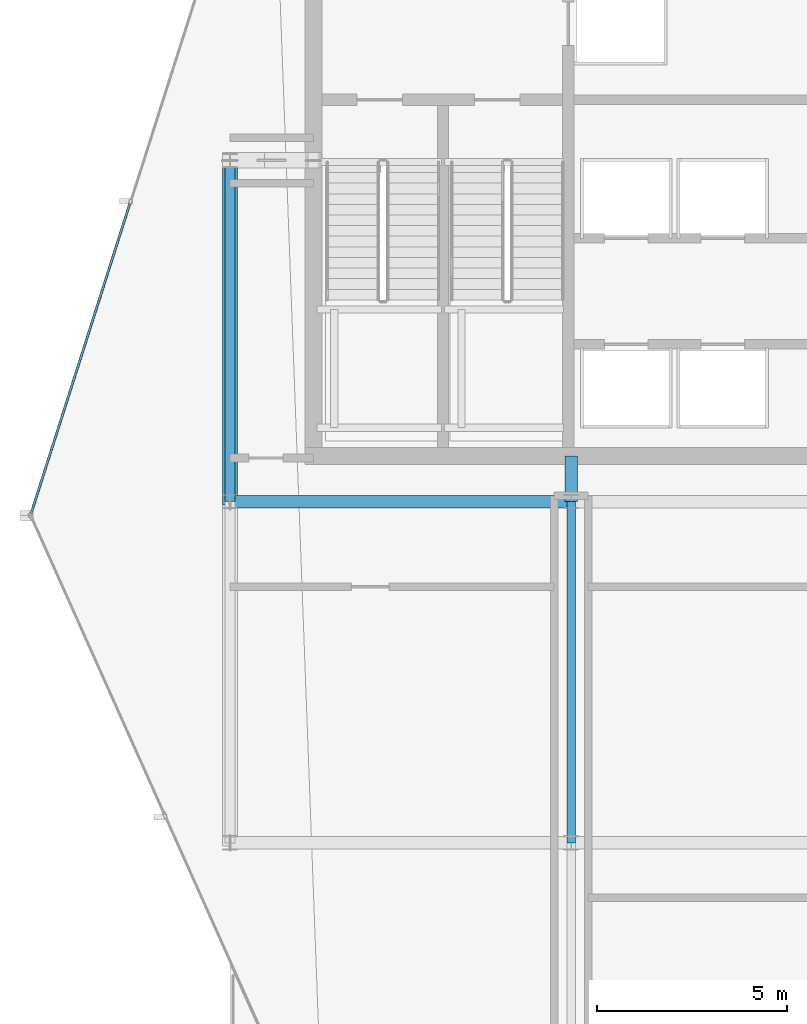
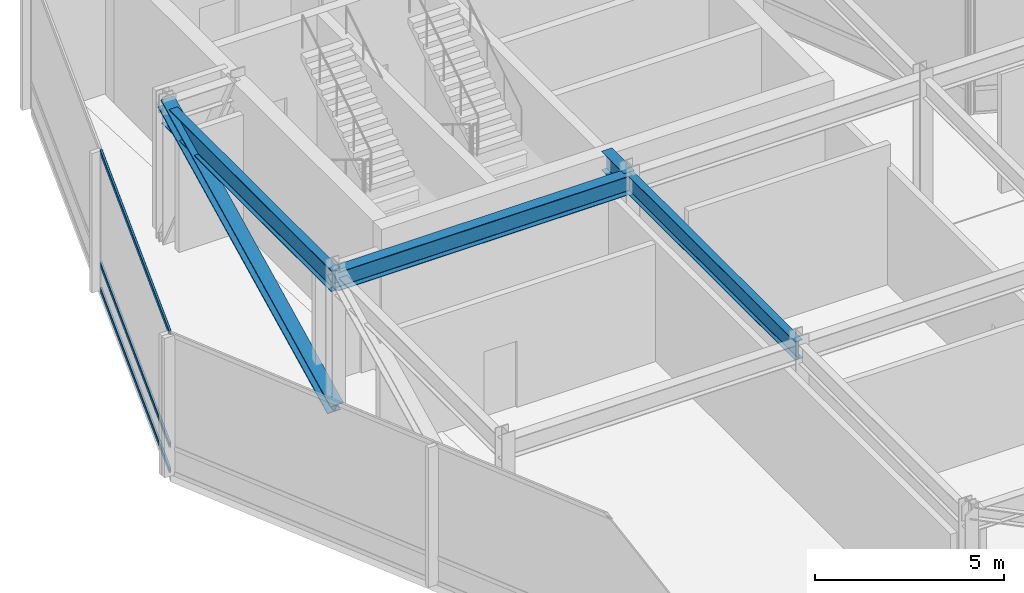
# One storey, part 7 of 23: 4 beams, 4 members, 1 element without a shape of its own.
"""IFC4 building model written with IfcOpenShell, lengths in metres."""

from ifc_helpers import new_model, si_unit, direction, frame, origin, origin_2d, place, context, subcontext, project, spatial, hollow_rectangle, i_section, extrude, material, layer, layer_set, material_profile, profile_set, type_object, element, aggregate, save


model = new_model("IFC4")

# Units and contexts
model_context = context("Model", 3, precision=1e-05, world=origin(), true_north=direction((0.0, 1.0)))
body_context = subcontext(model_context, "Body", "Model", "MODEL_VIEW")
ifc_project = project(units=[si_unit("LENGTHUNIT", "METRE"), si_unit("AREAUNIT", "SQUARE_METRE"), si_unit("VOLUMEUNIT", "CUBIC_METRE"), si_unit("PLANEANGLEUNIT", "RADIAN"), si_unit("MASSUNIT", "GRAM", prefix="KILO")], contexts=[model_context])

# Site, building, storey
site_placement = place(None, origin())
site = spatial("IfcSite", under=ifc_project, at=site_placement, CompositionType="ELEMENT")
building_placement = place(site_placement, origin())
building = spatial("IfcBuilding", under=site, at=building_placement, Name="Solvaryn Broadcast Tower", CompositionType="ELEMENT")
storey_placement = place(building_placement, frame((0.0, 0.0, 285.199951171875)))
storey = spatial("IfcBuildingStorey", under=building, at=storey_placement, Name="L72", CompositionType="ELEMENT", Elevation=285.199951171875)

# Beams
ifc_material_1 = material(Name="Steel ASTM A992 Grade 50", Category="steel")
ifc_material_profile_1 = material_profile(ifc_material_1, i_section(OverallWidth=0.323974609375, OverallDepth=0.611083984375, WebThickness=0.0126953125, FlangeThickness=0.01904296875, FilletRadius=0.014892578125, at=origin_2d()))
ifc_profile_set_1 = profile_set([ifc_material_profile_1], Name="Steel ASTM A992 Grade 50")
beam_type_1 = type_object("IfcBeamType", Name="BM-B1-W24X104", PredefinedType="BEAM", material=ifc_profile_set_1)
beam_1_placement = place(storey_placement, frame((9.0, 27.0, 4.214599609375), z_axis=(1.0, 0.0, 0.0), x_axis=(0.0, 1.0, 0.0)))
element("IfcBeam", 1, at=beam_1_placement, inside=storey, type_object=beam_type_1, Name="L72 Primary Beam X (9-18 @ Y=27)", PredefinedType="BEAM", context=body_context, shape_type="SweptSolid", body=[
    extrude(i_section(OverallWidth=0.323974609375, OverallDepth=0.611083984375, WebThickness=0.0126953125, FlangeThickness=0.01904296875, FilletRadius=0.014892578125, at=origin_2d()), origin(), (0.0, 0.0, 1.0), 9.0),
])
beam_2_placement = place(storey_placement, frame((18.0, 27.0, 4.214599609375), z_axis=(0.0, 1.0, 0.0), x_axis=(-1.0, 0.0, 0.0)))
element("IfcBeam", 2, at=beam_2_placement, inside=storey, type_object=beam_type_1, Name="L72 Core Tie Beam CTW4", PredefinedType="BEAM", context=body_context, shape_type="SweptSolid", body=[
    extrude(i_section(OverallWidth=0.323974609375, OverallDepth=0.611083984375, WebThickness=0.0126953125, FlangeThickness=0.01904296875, FilletRadius=0.014892578125, at=origin_2d()), origin(), (0.0, 0.0, 1.0), 1.199951171875),
])
ifc_material_2 = material(Name="Steel ASTM A992 Grade 50", Category="steel")
ifc_material_profile_2 = material_profile(ifc_material_2, i_section(OverallWidth=0.22802734375, OverallDepth=0.60791015625, WebThickness=0.01123046875, FlangeThickness=0.017333984375, FilletRadius=0.014892578125, at=origin_2d()))
ifc_profile_set_2 = profile_set([ifc_material_profile_2], Name="Steel ASTM A992 Grade 50")
beam_type_2 = type_object("IfcBeamType", Name="BM-B2-W24X76", PredefinedType="BEAM", material=ifc_profile_set_2)
beam_3_placement = place(storey_placement, frame((18.0, 18.0, 4.216064453125), z_axis=(0.0, 1.0, 0.0), x_axis=(-1.0, 0.0, 0.0)))
element("IfcBeam", 3, at=beam_3_placement, inside=storey, type_object=beam_type_2, Name="L72 Primary Beam Y (18-27 @ X=18)", PredefinedType="BEAM", context=body_context, shape_type="SweptSolid", body=[
    extrude(i_section(OverallWidth=0.22802734375, OverallDepth=0.60791015625, WebThickness=0.01123046875, FlangeThickness=0.017333984375, FilletRadius=0.014892578125, at=origin_2d()), origin(), (0.0, 0.0, 1.0), 9.0),
])
ifc_material_3 = material(Name="Steel ASTM A992 Grade 50", Category="steel")
ifc_material_profile_3 = material_profile(ifc_material_3, i_section(OverallWidth=0.256103515625, OverallDepth=0.693115234375, WebThickness=0.014404296875, FlangeThickness=0.023681640625, FilletRadius=0.01611328125, at=origin_2d()))
ifc_profile_set_3 = profile_set([ifc_material_profile_3], Name="Steel ASTM A992 Grade 50")
beam_type_3 = type_object("IfcBeamType", Name="BM-SP3-W27X114", PredefinedType="USERDEFINED", material=ifc_profile_set_3)
beam_4_placement = place(storey_placement, frame((9.0, 27.0, 4.173583984375), z_axis=(0.0, 1.0, 0.0), x_axis=(-1.0, 0.0, 0.0)))
element("IfcBeam", 4, at=beam_4_placement, inside=storey, type_object=beam_type_3, Name="L72 Spandrel Beam Y (27-36 @ X=9)", ObjectType="SPANDREL", PredefinedType="USERDEFINED", context=body_context, shape_type="SweptSolid", body=[
    extrude(i_section(OverallWidth=0.256103515625, OverallDepth=0.693115234375, WebThickness=0.014404296875, FlangeThickness=0.023681640625, FilletRadius=0.01611328125, at=origin_2d()), origin(), (0.0, 0.0, 1.0), 9.0),
])

# Curtain wall, members
ifc_material_4 = material(Name="Aluminium and Terracotta Unitised Curtain Wall", Category="masonry")
ifc_layer = layer(ifc_material_4, 0.199951171875)
ifc_layer_set = layer_set([ifc_layer], Name="CW-SYS2-LOWMID")
curtain_wall_type = type_object("IfcCurtainWallType", Name="CW-SYS2-LOWMID", PredefinedType="NOTDEFINED", material=ifc_layer_set)
curtain_wall_placement = place(storey_placement, origin())
curtain_wall = element("IfcCurtainWall", 5, at=curtain_wall_placement, inside=storey, type_object=curtain_wall_type, Name="L72 Curtain Wall DR1", PredefinedType="NOTDEFINED")
ifc_material_5 = material(Name="Anodised Aluminium 6063-T6", Category="aluminium")
ifc_material_profile_4 = material_profile(ifc_material_5, hollow_rectangle(XDim=0.06494140625, YDim=0.14990234375, WallThickness=0.00390625, InnerFilletRadius=0.00390625, OuterFilletRadius=0.008056640625, at=origin_2d()))
ifc_profile_set_4 = profile_set([ifc_material_profile_4], Name="Anodised Aluminium 6063-T6")
member_type_1 = type_object("IfcMemberType", Name="CW-TRN-150", PredefinedType="USERDEFINED", material=ifc_profile_set_4)
member_1_placement = place(storey_placement, frame((6.35986328125, 34.864013671875, 0.030029296875), z_axis=(-0.303619603822, -0.952793333402, 0.0), x_axis=(0.952793333402, -0.303619603822, 0.0)))
member_1 = element("IfcMember", 6, at=member_1_placement, type_object=member_type_1, Name="CWS2 transom 2.1", ObjectType="TRANSOM", PredefinedType="USERDEFINED", context=body_context, shape_type="SweptSolid", body=[
    extrude(hollow_rectangle(XDim=0.06494140625, YDim=0.14990234375, WallThickness=0.00390625, InnerFilletRadius=0.00390625, OuterFilletRadius=0.008056640625, at=origin_2d()), origin(), (0.0, 0.0, 1.0), 8.57568359375),
])
member_2_placement = place(storey_placement, frame((6.35986328125, 34.864013671875, 0.85009765625), z_axis=(-0.303619603822, -0.952793333402, 0.0), x_axis=(0.952793333402, -0.303619603822, 0.0)))
member_2 = element("IfcMember", 7, at=member_2_placement, type_object=member_type_1, Name="CWS2 transom 2.2", ObjectType="TRANSOM", PredefinedType="USERDEFINED", context=body_context, shape_type="SweptSolid", body=[
    extrude(hollow_rectangle(XDim=0.06494140625, YDim=0.14990234375, WallThickness=0.00390625, InnerFilletRadius=0.00390625, OuterFilletRadius=0.008056640625, at=origin_2d()), origin(), (0.0, 0.0, 1.0), 8.57568359375),
])
member_3_placement = place(storey_placement, frame((6.35986328125, 34.864013671875, 4.489990234375), z_axis=(-0.303619603822, -0.952793333402, 0.0), x_axis=(0.952793333402, -0.303619603822, 0.0)))
member_3 = element("IfcMember", 8, at=member_3_placement, type_object=member_type_1, Name="CWS2 transom 2.3", ObjectType="TRANSOM", PredefinedType="USERDEFINED", context=body_context, shape_type="SweptSolid", body=[
    extrude(hollow_rectangle(XDim=0.06494140625, YDim=0.14990234375, WallThickness=0.00390625, InnerFilletRadius=0.00390625, OuterFilletRadius=0.008056640625, at=origin_2d()), origin(), (0.0, 0.0, 1.0), 8.57568359375),
])
aggregate(curtain_wall, [member_1, member_2, member_3])

# Member
ifc_material_6 = material(Name="Steel ASTM A913 Grade 65", Category="steel")
ifc_material_profile_5 = material_profile(ifc_material_6, i_section(OverallWidth=0.39697265625, OverallDepth=0.386962890625, WebThickness=0.02099609375, FlangeThickness=0.033203125, FilletRadius=0.014892578125, at=origin_2d()))
ifc_profile_set_5 = profile_set([ifc_material_profile_5], Name="Steel ASTM A913 Grade 65")
member_type_2 = type_object("IfcMemberType", Name="MB-BELT-2", PredefinedType="BRACE", material=ifc_profile_set_5)
member_4_placement = place(storey_placement, frame((9.0, 27.0, 0.02001953125), z_axis=(0.0, 0.895222302563, 0.44561982563), x_axis=(-1.0, 0.0, 0.0)))
element("IfcMember", 9, at=member_4_placement, inside=storey, type_object=member_type_2, Name="L72 West Belt Diagonal 4", PredefinedType="BRACE", context=body_context, shape_type="SweptSolid", body=[
    extrude(i_section(OverallWidth=0.39697265625, OverallDepth=0.386962890625, WebThickness=0.02099609375, FlangeThickness=0.033203125, FilletRadius=0.014892578125, at=origin_2d()), origin(), (0.0, 0.0, 1.0), 10.053466796875),
])

save(model, "model.ifc")
